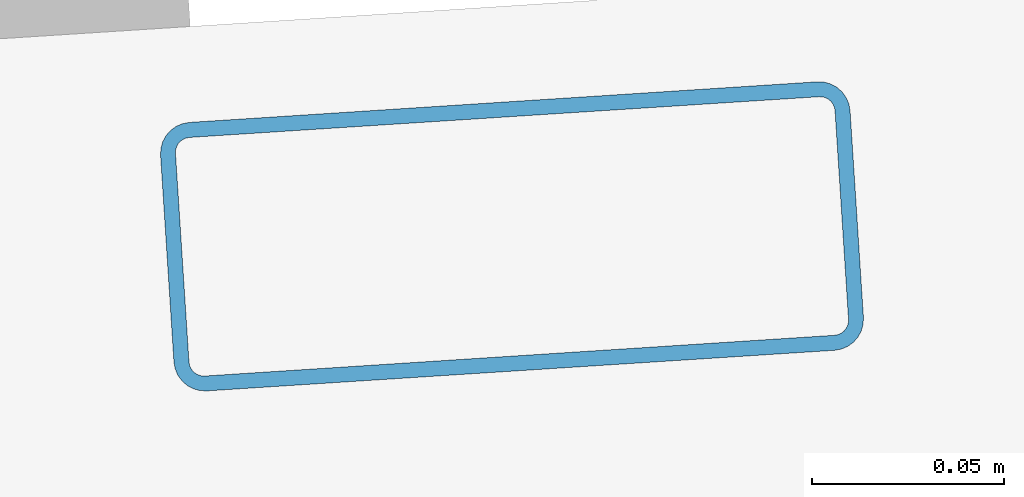
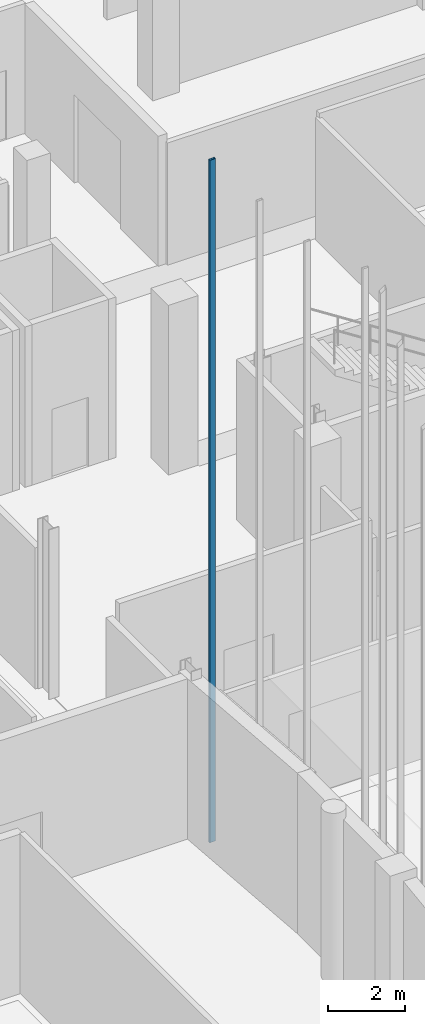
# One storey, part 131 of 372: 1 member.
"""IFC4 building model written with IfcOpenShell, lengths in metres."""

from ifc_helpers import new_model, si_unit, direction, frame, origin, origin_2d, place, context, subcontext, project, spatial, hollow_rectangle, extrude, material, material_profile, profile_set, type_object, element, save


model = new_model("IFC4")

# Units and contexts
model_context = context("Model", 3, precision=1e-05, world=origin(), true_north=direction((0.0, 1.0)))
body_context = subcontext(model_context, "Body", "Model", "MODEL_VIEW")
ifc_project = project(units=[si_unit("LENGTHUNIT", "METRE"), si_unit("AREAUNIT", "SQUARE_METRE"), si_unit("VOLUMEUNIT", "CUBIC_METRE"), si_unit("PLANEANGLEUNIT", "RADIAN"), si_unit("MASSUNIT", "GRAM", prefix="KILO")], contexts=[model_context])

# Site, building, storey
site_placement = place(None, origin())
site = spatial("IfcSite", under=ifc_project, at=site_placement, CompositionType="ELEMENT")
building_placement = place(site_placement, origin())
building = spatial("IfcBuilding", under=site, at=building_placement, Name="Kaelora Sail Theatre", CompositionType="ELEMENT")
storey_placement = place(building_placement, origin())
storey = spatial("IfcBuildingStorey", under=building, at=storey_placement, Name="L00", CompositionType="ELEMENT", Elevation=0.0)

# Member
ifc_material = material(Name="Anodised aluminium 6063-T6", Category="aluminium")
ifc_material_profile = material_profile(ifc_material, hollow_rectangle(XDim=0.070068359375, YDim=0.179931640625, WallThickness=0.00390625, InnerFilletRadius=0.00390625, OuterFilletRadius=0.008056640625, at=origin_2d()), Name="ALU-MULL 70x180x4")
ifc_profile_set = profile_set([ifc_material_profile], Name="Anodised aluminium 6063-T6")
member_type = type_object("IfcMemberType", Name="ARC-MEM-PST-160", PredefinedType="POST", material=ifc_profile_set)
member_placement = place(storey_placement, frame((58.51611328125, 60.47021484375, 0.0), z_axis=(0.0, 0.0, 1.0), x_axis=(0.064532308253, -0.997915618272, 0.0)))
element("IfcMember", 1, at=member_placement, inside=storey, type_object=member_type, Name="Main Theatre Sail Drum solar louvre vertical support post C1-1", PredefinedType="POST", context=body_context, shape_type="SweptSolid", body=[
    extrude(hollow_rectangle(XDim=0.070068359375, YDim=0.179931640625, WallThickness=0.00390625, InnerFilletRadius=0.00390625, OuterFilletRadius=0.008056640625, at=origin_2d()), origin(), (0.0, 0.0, 1.0), 21.716796875),
])

save(model, "model.ifc")
